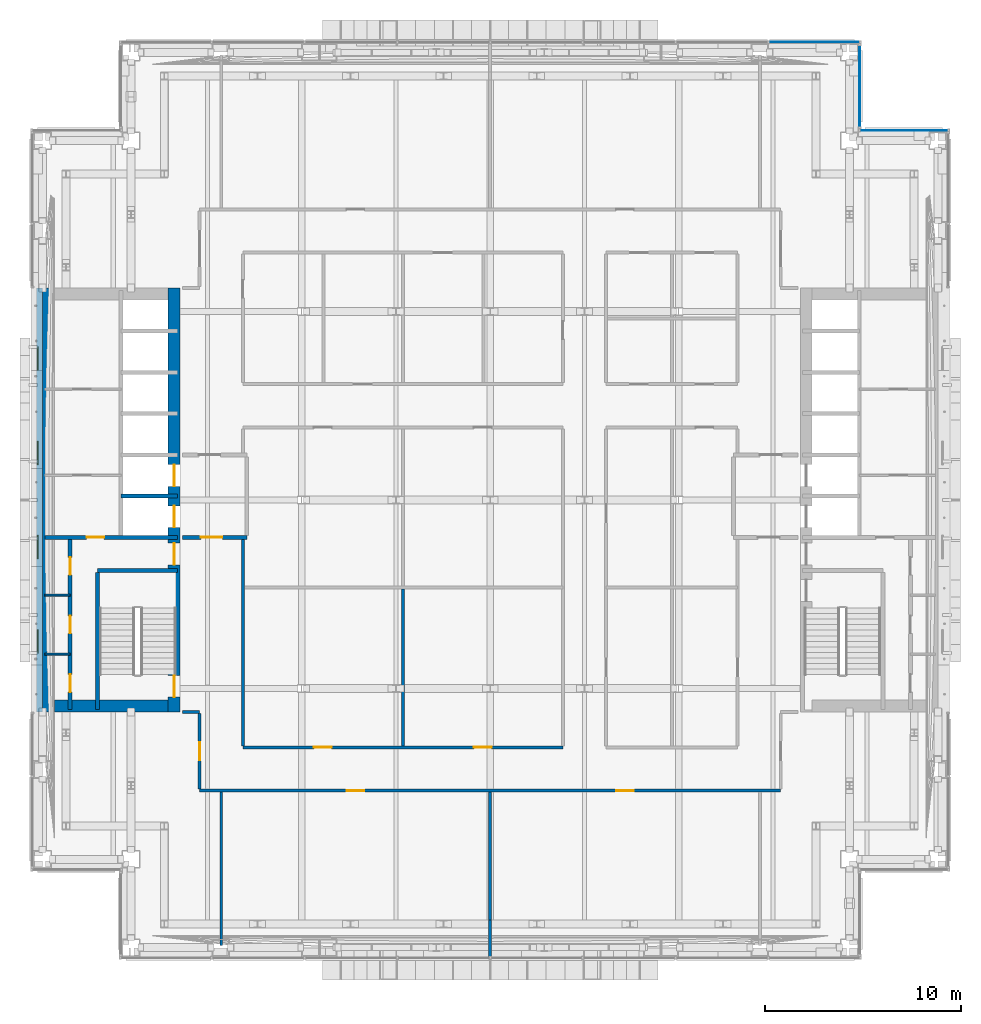
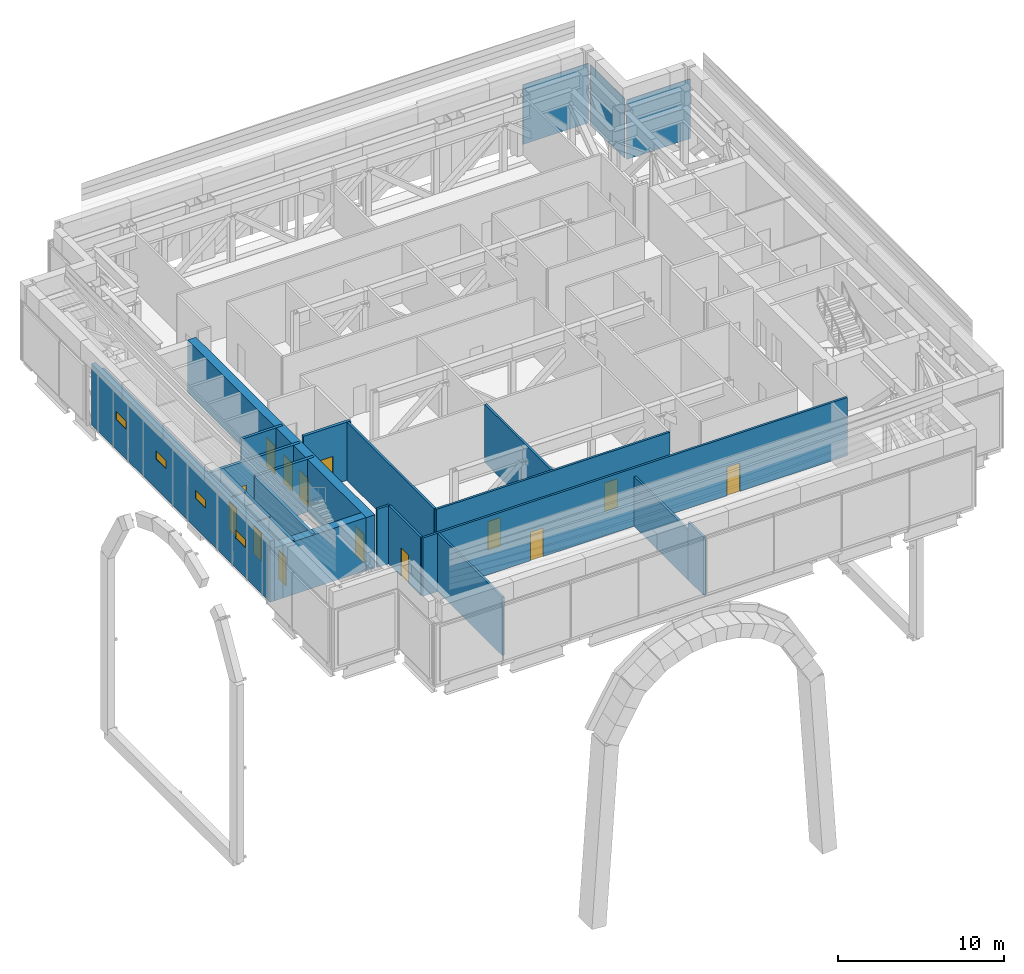
# One storey, part 10 of 38: 21 walls, 14 doors, 4 windows, 3 plates, 18 openings, 3 elements without a shape of their own.
"""IFC4 building model written with IfcOpenShell, lengths in metres."""

from ifc_helpers import new_model, si_unit, direction, frame, frame_2d, origin, origin_2d, place, context, subcontext, project, spatial, rectangle, extrude, material, layer, layer_set, type_object, element, fill, aggregate, save


model = new_model("IFC4")

# Units and contexts
model_context = context("Model", 3, precision=1e-05, world=origin(), true_north=direction((0.0, 1.0)))
body_context = subcontext(model_context, "Body", "Model", "MODEL_VIEW")
ifc_project = project(units=[si_unit("LENGTHUNIT", "METRE"), si_unit("AREAUNIT", "SQUARE_METRE"), si_unit("VOLUMEUNIT", "CUBIC_METRE"), si_unit("PLANEANGLEUNIT", "RADIAN"), si_unit("MASSUNIT", "GRAM", prefix="KILO")], contexts=[model_context])

# Site, building, storey
site_placement = place(None, origin())
site = spatial("IfcSite", under=ifc_project, at=site_placement, CompositionType="ELEMENT")
building_placement = place(site_placement, origin())
building = spatial("IfcBuilding", under=site, at=building_placement, Name="Cobrizo Arcos Hotel Tower", CompositionType="ELEMENT")
storey_placement = place(building_placement, frame((0.0, 0.0, 138.0)))
storey = spatial("IfcBuildingStorey", under=building, at=storey_placement, Name="L35", CompositionType="ELEMENT", Elevation=138.0)

# Curtain wall, plate
ifc_material_1 = material(Name="Aluminium 6063-T6 anodised bronze", Category="aluminium")
curtain_wall_type = type_object("IfcCurtainWallType", Name="CW-D plant louvre wall", PredefinedType="NOTDEFINED", material=ifc_material_1)
curtain_wall_1_placement = place(storey_placement, origin())
curtain_wall_1 = element("IfcCurtainWall", 1, at=curtain_wall_1_placement, inside=storey, type_object=curtain_wall_type, Name="CW-D L35 N face", PredefinedType="NOTDEFINED")
ifc_material_2 = material(Name="Aluminium composite panel pale metal", Category="aluminium")
ifc_layer_1 = layer(ifc_material_2, 0.06005859375)
ifc_layer_set_1 = layer_set([ifc_layer_1], Name="CW-D spandrel panel")
plate_type = type_object("IfcPlateType", Name="CW-D spandrel panel", PredefinedType="CURTAIN_PANEL", material=ifc_layer_set_1)
plate_1_placement = place(storey_placement, frame((21.074951171875, 18.824951171875, 0.0), z_axis=(0.0, 0.0, 1.0), x_axis=(-1.0, 0.0, 0.0)))
plate_1 = element("IfcPlate", 2, at=plate_1_placement, type_object=plate_type, Name="CW-D insulated panel 1289", PredefinedType="CURTAIN_PANEL", context=body_context, shape_type="SweptSolid", body=[
    extrude(rectangle(XDim=4.449951171875, YDim=0.0400390625, at=origin_2d()), origin(), (0.0, 0.0, 1.0), 4.39990234375),
])
aggregate(curtain_wall_1, [plate_1])

curtain_wall_2_placement = place(storey_placement, origin())
curtain_wall_2 = element("IfcCurtainWall", 3, at=curtain_wall_2_placement, inside=storey, type_object=curtain_wall_type, Name="CW-D L35 E face", PredefinedType="NOTDEFINED")
plate_2_placement = place(storey_placement, frame((18.824951171875, 21.074951171875, 0.0), z_axis=(0.0, 0.0, 1.0), x_axis=(0.0, 1.0, 0.0)))
plate_2 = element("IfcPlate", 4, at=plate_2_placement, type_object=plate_type, Name="CW-D insulated panel 1290", PredefinedType="CURTAIN_PANEL", context=body_context, shape_type="SweptSolid", body=[
    extrude(rectangle(XDim=4.14990234375, YDim=0.0400390625, at=origin_2d()), origin(), (0.0, 0.0, 1.0), 4.39990234375),
])
aggregate(curtain_wall_2, [plate_2])

curtain_wall_3_placement = place(storey_placement, origin())
curtain_wall_3 = element("IfcCurtainWall", 5, at=curtain_wall_3_placement, inside=storey, type_object=curtain_wall_type, Name="CW-D L35 N face", PredefinedType="NOTDEFINED")
plate_3_placement = place(storey_placement, frame((16.512451171875, 23.324951171875, 0.0), z_axis=(0.0, 0.0, 1.0), x_axis=(-1.0, 0.0, 0.0)))
plate_3 = element("IfcPlate", 6, at=plate_3_placement, type_object=plate_type, Name="CW-D insulated panel 1291", PredefinedType="CURTAIN_PANEL", context=body_context, shape_type="SweptSolid", body=[
    extrude(rectangle(XDim=4.574951171875, YDim=0.0400390625, at=origin_2d()), origin(), (0.0, 0.0, 1.0), 4.39990234375),
])
aggregate(curtain_wall_3, [plate_3])

# Wall, openings, doors
ifc_material_3 = material(Name="Gypsum board partition")
ifc_layer_2 = layer(ifc_material_3, 0.14990234375)
ifc_layer_set_2 = layer_set([ifc_layer_2], Name="Corridor wall EI 60 150")
wall_type_1 = type_object("IfcWallType", Name="Corridor wall EI 60 150", PredefinedType="PARTITIONING", material=ifc_layer_set_2)
wall_1_placement = place(storey_placement, frame((-14.800048828125, -14.800048828125, 0.0), z_axis=(0.0, 0.0, 1.0), x_axis=(1.0, 0.0, 0.0)))
wall_1 = element("IfcWall", 7, at=wall_1_placement, inside=storey, type_object=wall_type_1, Name="Partition 001", PredefinedType="PARTITIONING", context=body_context, shape_type="SweptSolid", body=[
    extrude(rectangle(XDim=29.60009765625, YDim=0.14990234375, at=frame_2d((14.800048828125, 0.0))), origin(), (0.0, 0.0, 1.0), 4.300048828125),
])
opening_1_placement = place(wall_1_placement, frame((7.488037109375, 0.0, 0.0)))
opening_1 = element("IfcOpeningElement", 8, at=opening_1_placement, cuts=wall_1, Name="Opening RD-13", PredefinedType="OPENING", context=body_context, shape_type="SweptSolid", body=[
    extrude(rectangle(XDim=0.89990234375, YDim=2.10009765625, at=frame_2d((0.449951171875, 1.050048828125))), frame((0.0, 0.0869140625, 0.0), z_axis=(0.0, -1.0, 0.0), x_axis=(1.0, 0.0, 0.0)), (0.0, 0.0, 1.0), 0.173828125),
])
opening_2_placement = place(wall_1_placement, frame((21.212890625, 0.0, 0.0)))
opening_2 = element("IfcOpeningElement", 9, at=opening_2_placement, cuts=wall_1, Name="Opening RD-14", PredefinedType="OPENING", context=body_context, shape_type="SweptSolid", body=[
    extrude(rectangle(XDim=0.89990234375, YDim=2.10009765625, at=frame_2d((0.449951171875, 1.050048828125))), frame((0.0, 0.0869140625, 0.0), z_axis=(0.0, -1.0, 0.0), x_axis=(1.0, 0.0, 0.0)), (0.0, 0.0, 1.0), 0.173828125),
])
ifc_material_4 = material(Name="Timber door leaf", Category="wood")
door_type_1 = type_object("IfcDoorType", Name="Room door FD30 900x2100", OperationType="SINGLE_SWING_LEFT", PredefinedType="DOOR", material=ifc_material_4)
door_1_placement = place(opening_1_placement, origin())
door_1 = element("IfcDoor", 10, at=door_1_placement, inside=storey, type_object=door_type_1, Name="Door RD-13", OperationType="SINGLE_SWING_LEFT", OverallHeight=2.10009765625, OverallWidth=0.89990234375, PredefinedType="DOOR", context=body_context, shape_type="SweptSolid", body=[
    extrude(rectangle(XDim=0.89990234375, YDim=2.10009765625, at=frame_2d((0.449951171875, 1.050048828125))), frame((0.0, 0.02490234375, 0.0), z_axis=(0.0, -1.0, 0.0), x_axis=(1.0, 0.0, 0.0)), (0.0, 0.0, 1.0), 0.050048828125),
])
fill(opening_1, door_1)
door_2_placement = place(opening_2_placement, origin())
door_2 = element("IfcDoor", 11, at=door_2_placement, inside=storey, type_object=door_type_1, Name="Door RD-14", OperationType="SINGLE_SWING_RIGHT", OverallHeight=2.10009765625, OverallWidth=0.89990234375, PredefinedType="DOOR", context=body_context, shape_type="SweptSolid", body=[
    extrude(rectangle(XDim=0.89990234375, YDim=2.10009765625, at=frame_2d((0.449951171875, 1.050048828125))), frame((0.0, 0.02490234375, 0.0), z_axis=(0.0, -1.0, 0.0), x_axis=(1.0, 0.0, 0.0)), (0.0, 0.0, 1.0), 0.050048828125),
])
fill(opening_2, door_2)

wall_2_placement = place(storey_placement, frame((-12.60009765625, -12.60009765625, 0.0), z_axis=(0.0, 0.0, 1.0), x_axis=(1.0, 0.0, 0.0)))
wall_2 = element("IfcWall", 12, at=wall_2_placement, inside=storey, type_object=wall_type_1, Name="Partition 002", PredefinedType="PARTITIONING", context=body_context, shape_type="SweptSolid", body=[
    extrude(rectangle(XDim=16.300048828125, YDim=0.14990234375, at=frame_2d((8.14990234375, 0.0))), origin(), (0.0, 0.0, 1.0), 4.300048828125),
])
opening_3_placement = place(wall_2_placement, frame((3.625, 0.0, 0.0)))
opening_3 = element("IfcOpeningElement", 13, at=opening_3_placement, cuts=wall_2, Name="Opening RD-25", PredefinedType="OPENING", context=body_context, shape_type="SweptSolid", body=[
    extrude(rectangle(XDim=0.89990234375, YDim=2.10009765625, at=frame_2d((0.449951171875, 1.050048828125))), frame((0.0, 0.0869140625, 0.0), z_axis=(0.0, -1.0, 0.0), x_axis=(1.0, 0.0, 0.0)), (0.0, 0.0, 1.0), 0.173828125),
])
opening_4_placement = place(wall_2_placement, frame((11.77490234375, 0.0, 0.0)))
opening_4 = element("IfcOpeningElement", 14, at=opening_4_placement, cuts=wall_2, Name="Opening RD-27", PredefinedType="OPENING", context=body_context, shape_type="SweptSolid", body=[
    extrude(rectangle(XDim=0.89990234375, YDim=2.10009765625, at=frame_2d((0.449951171875, 1.050048828125))), frame((0.0, 0.0869140625, 0.0), z_axis=(0.0, -1.0, 0.0), x_axis=(1.0, 0.0, 0.0)), (0.0, 0.0, 1.0), 0.173828125),
])
door_3_placement = place(opening_3_placement, origin())
door_3 = element("IfcDoor", 15, at=door_3_placement, inside=storey, type_object=door_type_1, Name="Door RD-25", OperationType="SINGLE_SWING_LEFT", OverallHeight=2.10009765625, OverallWidth=0.89990234375, PredefinedType="DOOR", context=body_context, shape_type="SweptSolid", body=[
    extrude(rectangle(XDim=0.89990234375, YDim=2.10009765625, at=frame_2d((0.449951171875, 1.050048828125))), frame((0.0, 0.02490234375, 0.0), z_axis=(0.0, -1.0, 0.0), x_axis=(1.0, 0.0, 0.0)), (0.0, 0.0, 1.0), 0.050048828125),
])
fill(opening_3, door_3)
door_4_placement = place(opening_4_placement, origin())
door_4 = element("IfcDoor", 16, at=door_4_placement, inside=storey, type_object=door_type_1, Name="Door RD-27", OperationType="SINGLE_SWING_LEFT", OverallHeight=2.10009765625, OverallWidth=0.89990234375, PredefinedType="DOOR", context=body_context, shape_type="SweptSolid", body=[
    extrude(rectangle(XDim=0.89990234375, YDim=2.10009765625, at=frame_2d((0.449951171875, 1.050048828125))), frame((0.0, 0.02490234375, 0.0), z_axis=(0.0, -1.0, 0.0), x_axis=(1.0, 0.0, 0.0)), (0.0, 0.0, 1.0), 0.050048828125),
])
fill(opening_4, door_4)

# Wall
wall_3_placement = place(storey_placement, frame((-15.679931640625, -10.800048828125, 0.0), z_axis=(0.0, 0.0, 1.0), x_axis=(1.0, 0.0, 0.0)))
element("IfcWall", 17, at=wall_3_placement, inside=storey, type_object=wall_type_1, Name="Partition 004", PredefinedType="PARTITIONING", context=body_context, shape_type="SweptSolid", body=[
    extrude(rectangle(XDim=0.8798828125, YDim=0.14990234375, at=frame_2d((0.43994140625, 0.0))), origin(), (0.0, 0.0, 1.0), 4.300048828125),
])

# Wall, opening, door
wall_4_placement = place(storey_placement, frame((-14.800048828125, -14.72509765625, 0.0), z_axis=(0.0, 0.0, 1.0), x_axis=(0.0, 1.0, 0.0)))
wall_4 = element("IfcWall", 18, at=wall_4_placement, inside=storey, type_object=wall_type_1, Name="Partition 047", PredefinedType="PARTITIONING", context=body_context, shape_type="SweptSolid", body=[
    extrude(rectangle(XDim=3.85009765625, YDim=0.14990234375, at=frame_2d((1.925048828125, 0.0))), origin(), (0.0, 0.0, 1.0), 4.300048828125),
])
opening_5_placement = place(wall_4_placement, frame((1.47509765625, 0.0, 0.0)))
opening_5 = element("IfcOpeningElement", 19, at=opening_5_placement, cuts=wall_4, Name="Opening RD-15", PredefinedType="OPENING", context=body_context, shape_type="SweptSolid", body=[
    extrude(rectangle(XDim=0.89990234375, YDim=2.10009765625, at=frame_2d((0.449951171875, 1.050048828125))), frame((0.0, 0.0869140625, 0.0), z_axis=(0.0, -1.0, 0.0), x_axis=(1.0, 0.0, 0.0)), (0.0, 0.0, 1.0), 0.173828125),
])
door_5_placement = place(opening_5_placement, origin())
door_5 = element("IfcDoor", 20, at=door_5_placement, inside=storey, type_object=door_type_1, Name="Door RD-15", OperationType="SINGLE_SWING_RIGHT", OverallHeight=2.10009765625, OverallWidth=0.89990234375, PredefinedType="DOOR", context=body_context, shape_type="SweptSolid", body=[
    extrude(rectangle(XDim=0.89990234375, YDim=2.10009765625, at=frame_2d((0.449951171875, 1.050048828125))), frame((0.0, 0.02490234375, 0.0), z_axis=(0.0, -1.0, 0.0), x_axis=(1.0, 0.0, 0.0)), (0.0, 0.0, 1.0), 0.050048828125),
])
fill(opening_5, door_5)

# Walls
wall_5_placement = place(storey_placement, frame((-13.699951171875, -22.679931640625, 0.0), z_axis=(0.0, 0.0, 1.0), x_axis=(0.0, 1.0, 0.0)))
element("IfcWall", 21, at=wall_5_placement, inside=storey, type_object=wall_type_1, Name="Partition 049", PredefinedType="PARTITIONING", context=body_context, shape_type="SweptSolid", body=[
    extrude(rectangle(XDim=7.804931640625, YDim=0.14990234375, at=frame_2d((3.90234375, 0.0))), origin(), (0.0, 0.0, 1.0), 4.300048828125),
])
wall_6_placement = place(storey_placement, frame((-12.60009765625, -12.52490234375, 0.0), z_axis=(0.0, 0.0, 1.0), x_axis=(0.0, 1.0, 0.0)))
element("IfcWall", 22, at=wall_6_placement, inside=storey, type_object=wall_type_1, Name="Partition 051", PredefinedType="PARTITIONING", context=body_context, shape_type="SweptSolid", body=[
    extrude(rectangle(XDim=10.52490234375, YDim=0.14990234375, at=frame_2d((5.262451171875, 0.0))), origin(), (0.0, 0.0, 1.0), 4.300048828125),
])
wall_7_placement = place(storey_placement, frame((-4.449951171875, -12.52490234375, 0.0), z_axis=(0.0, 0.0, 1.0), x_axis=(0.0, 1.0, 0.0)))
element("IfcWall", 23, at=wall_7_placement, inside=storey, type_object=wall_type_1, Name="Partition 056", PredefinedType="PARTITIONING", context=body_context, shape_type="SweptSolid", body=[
    extrude(rectangle(XDim=8.0, YDim=0.14990234375, at=frame_2d((4.0, 0.0))), origin(), (0.0, 0.0, 1.0), 4.300048828125),
])
wall_8_placement = place(storey_placement, frame((0.0, -23.280029296875, 0.0), z_axis=(0.0, 0.0, 1.0), x_axis=(0.0, 1.0, 0.0)))
element("IfcWall", 24, at=wall_8_placement, inside=storey, type_object=wall_type_1, Name="Partition 061", PredefinedType="PARTITIONING", context=body_context, shape_type="SweptSolid", body=[
    extrude(rectangle(XDim=1.880615234375, YDim=0.14990234375, at=frame_2d((0.9404296875, 0.0))), origin(), (0.0, 0.0, 1.0), 4.300048828125),
])
wall_9_placement = place(storey_placement, frame((0.0, -21.39892578125, 0.0), z_axis=(0.0, 0.0, 1.0), x_axis=(0.0, 1.0, 0.0)))
element("IfcWall", 25, at=wall_9_placement, inside=storey, type_object=wall_type_1, Name="Partition 062", PredefinedType="PARTITIONING", context=body_context, shape_type="SweptSolid", body=[
    extrude(rectangle(XDim=6.52392578125, YDim=0.14990234375, at=frame_2d((3.261962890625, 0.0))), origin(), (0.0, 0.0, 1.0), 3.677978515625),
])

# Wall, openings, windows
ifc_layer_3 = layer(ifc_material_2, 0.300048828125)
ifc_layer_set_3 = layer_set([ifc_layer_3], Name="EW-1 insulated panel wall 300")
wall_type_2 = type_object("IfcWallType", Name="EW-1 insulated panel wall 300", PredefinedType="SOLIDWALL", material=ifc_layer_set_3)
wall_10_placement = place(storey_placement, frame((-22.949951171875, 10.800048828125, 0.0), z_axis=(0.0, 0.0, 1.0), x_axis=(0.0, -1.0, 0.0)))
wall_10 = element("IfcWall", 26, at=wall_10_placement, inside=storey, type_object=wall_type_2, Name="Core face wall L35 W", PredefinedType="SOLIDWALL", context=body_context, shape_type="SweptSolid", body=[
    extrude(rectangle(XDim=21.60009765625, YDim=0.300048828125, at=frame_2d((10.800048828125, 0.0))), origin(), (0.0, 0.0, 1.0), 4.5),
])
opening_6_placement = place(wall_10_placement, frame((3.0, 0.0, 2.199951171875)))
opening_6 = element("IfcOpeningElement", 27, at=opening_6_placement, cuts=wall_10, Name="Opening W-75", PredefinedType="OPENING", context=body_context, shape_type="SweptSolid", body=[
    extrude(rectangle(XDim=1.199951171875, YDim=0.60009765625, at=frame_2d((0.60009765625, 0.300048828125))), frame((0.0, 0.162109375, 0.0), z_axis=(0.0, -1.0, 0.0), x_axis=(1.0, 0.0, 0.0)), (0.0, 0.0, 1.0), 0.323974609375),
])
opening_7_placement = place(wall_10_placement, frame((7.800048828125, 0.0, 2.199951171875)))
opening_7 = element("IfcOpeningElement", 28, at=opening_7_placement, cuts=wall_10, Name="Opening W-76", PredefinedType="OPENING", context=body_context, shape_type="SweptSolid", body=[
    extrude(rectangle(XDim=1.199951171875, YDim=0.60009765625, at=frame_2d((0.60009765625, 0.300048828125))), frame((0.0, 0.162109375, 0.0), z_axis=(0.0, -1.0, 0.0), x_axis=(1.0, 0.0, 0.0)), (0.0, 0.0, 1.0), 0.323974609375),
])
opening_8_placement = place(wall_10_placement, frame((12.60009765625, 0.0, 2.199951171875)))
opening_8 = element("IfcOpeningElement", 29, at=opening_8_placement, cuts=wall_10, Name="Opening W-77", PredefinedType="OPENING", context=body_context, shape_type="SweptSolid", body=[
    extrude(rectangle(XDim=1.199951171875, YDim=0.60009765625, at=frame_2d((0.60009765625, 0.300048828125))), frame((0.0, 0.162109375, 0.0), z_axis=(0.0, -1.0, 0.0), x_axis=(1.0, 0.0, 0.0)), (0.0, 0.0, 1.0), 0.323974609375),
])
opening_9_placement = place(wall_10_placement, frame((17.39990234375, 0.0, 2.199951171875)))
opening_9 = element("IfcOpeningElement", 30, at=opening_9_placement, cuts=wall_10, Name="Opening W-78", PredefinedType="OPENING", context=body_context, shape_type="SweptSolid", body=[
    extrude(rectangle(XDim=1.199951171875, YDim=0.60009765625, at=frame_2d((0.60009765625, 0.300048828125))), frame((0.0, 0.162109375, 0.0), z_axis=(0.0, -1.0, 0.0), x_axis=(1.0, 0.0, 0.0)), (0.0, 0.0, 1.0), 0.323974609375),
])
ifc_material_5 = material(Name="Aluminium 6063-T6 and clear laminated glass", Category="aluminium")
window_type = type_object("IfcWindowType", Name="W-S1 plant smoke-vent window 1200x600", PartitioningType="SINGLE_PANEL", PredefinedType="WINDOW", material=ifc_material_5)
window_1_placement = place(opening_6_placement, origin())
window_1 = element("IfcWindow", 31, at=window_1_placement, inside=storey, type_object=window_type, Name="Core face wall L35 W window W-75", OverallHeight=0.60009765625, OverallWidth=1.199951171875, PartitioningType="SINGLE_PANEL", PredefinedType="WINDOW", context=body_context, shape_type="SweptSolid", body=[
    extrude(rectangle(XDim=1.199951171875, YDim=0.60009765625, at=frame_2d((0.60009765625, 0.300048828125))), frame((0.0, -0.06005859375, 0.0), z_axis=(0.0, -1.0, 0.0), x_axis=(1.0, 0.0, 0.0)), (0.0, 0.0, 1.0), 0.06005859375),
])
fill(opening_6, window_1)
window_2_placement = place(opening_7_placement, origin())
window_2 = element("IfcWindow", 32, at=window_2_placement, inside=storey, type_object=window_type, Name="Core face wall L35 W window W-76", OverallHeight=0.60009765625, OverallWidth=1.199951171875, PartitioningType="SINGLE_PANEL", PredefinedType="WINDOW", context=body_context, shape_type="SweptSolid", body=[
    extrude(rectangle(XDim=1.199951171875, YDim=0.60009765625, at=frame_2d((0.60009765625, 0.300048828125))), frame((0.0, -0.06005859375, 0.0), z_axis=(0.0, -1.0, 0.0), x_axis=(1.0, 0.0, 0.0)), (0.0, 0.0, 1.0), 0.06005859375),
])
fill(opening_7, window_2)
window_3_placement = place(opening_8_placement, origin())
window_3 = element("IfcWindow", 33, at=window_3_placement, inside=storey, type_object=window_type, Name="Core face wall L35 W window W-77", OverallHeight=0.60009765625, OverallWidth=1.199951171875, PartitioningType="SINGLE_PANEL", PredefinedType="WINDOW", context=body_context, shape_type="SweptSolid", body=[
    extrude(rectangle(XDim=1.199951171875, YDim=0.60009765625, at=frame_2d((0.60009765625, 0.300048828125))), frame((0.0, -0.06005859375, 0.0), z_axis=(0.0, -1.0, 0.0), x_axis=(1.0, 0.0, 0.0)), (0.0, 0.0, 1.0), 0.06005859375),
])
fill(opening_8, window_3)
window_4_placement = place(opening_9_placement, origin())
window_4 = element("IfcWindow", 34, at=window_4_placement, inside=storey, type_object=window_type, Name="Core face wall L35 W window W-78", OverallHeight=0.60009765625, OverallWidth=1.199951171875, PartitioningType="SINGLE_PANEL", PredefinedType="WINDOW", context=body_context, shape_type="SweptSolid", body=[
    extrude(rectangle(XDim=1.199951171875, YDim=0.60009765625, at=frame_2d((0.60009765625, 0.300048828125))), frame((0.0, -0.06005859375, 0.0), z_axis=(0.0, -1.0, 0.0), x_axis=(1.0, 0.0, 0.0)), (0.0, 0.0, 1.0), 0.06005859375),
])
fill(opening_9, window_4)

# Walls
ifc_layer_4 = layer(ifc_material_3, 0.10009765625)
ifc_layer_set_4 = layer_set([ifc_layer_4], Name="Partition EI 30 100")
wall_type_3 = type_object("IfcWallType", Name="Partition EI 30 100", PredefinedType="PARTITIONING", material=ifc_layer_set_4)
for number, where, z_axis, x_axis, name in (
    (35, (-22.679931640625, -7.85009765625, 0.0), (0.0, 0.0, 1.0), (1.0, 0.0, 0.0), "Partition 006"),
    (36, (-22.679931640625, -4.85009765625, 0.0), (0.0, 0.0, 1.0), (1.0, 0.0, 0.0), "Partition 008"),
):
    element("IfcWall", number, at=place(storey_placement, frame(where, z_axis=z_axis, x_axis=x_axis)), inside=storey, type_object=wall_type_3, Name=name, PredefinedType="PARTITIONING", context=body_context, shape_type="SweptSolid", body=[
        extrude(rectangle(XDim=1.280029296875, YDim=0.10009765625, at=frame_2d((0.64013671875, 0.0))), origin(), (0.0, 0.0, 1.0), 3.89990234375),
    ])

# Wall, openings, doors
ifc_material_6 = material(Name="Concrete f'c 50 MPa", Category="concrete")
ifc_layer_5 = layer(ifc_material_6, 0.60009765625)
ifc_layer_set_5 = layer_set([ifc_layer_5], Name="RC core wall 600 f'c 50")
wall_type_4 = type_object("IfcWallType", Name="RC core wall 600 f'c 50", PredefinedType="SHEAR", material=ifc_layer_set_5)
wall_11_placement = place(storey_placement, frame((-16.10009765625, -10.800048828125, 0.0), z_axis=(0.0, 0.0, 1.0), x_axis=(0.0, 1.0, 0.0)))
wall_11 = element("IfcWall", 37, at=wall_11_placement, inside=storey, type_object=wall_type_4, Name="Core wall CW2, west core, inner face, L35", PredefinedType="SHEAR", context=body_context, shape_type="SweptSolid", body=[
    extrude(rectangle(XDim=21.60009765625, YDim=0.60009765625, at=frame_2d((10.800048828125, 0.0))), origin(), (0.0, 0.0, 1.0), 3.89990234375),
])
opening_10_placement = place(wall_11_placement, frame((9.39990234375, 0.0, 0.0)))
opening_10 = element("IfcOpeningElement", 38, at=opening_10_placement, cuts=wall_11, Name="Opening LD-01", PredefinedType="OPENING", context=body_context, shape_type="SweptSolid", body=[
    extrude(rectangle(XDim=1.10009765625, YDim=2.10009765625, at=frame_2d((0.550048828125, 1.050048828125))), frame((0.0, 0.31201171875, 0.0), z_axis=(0.0, -1.0, 0.0), x_axis=(1.0, 0.0, 0.0)), (0.0, 0.0, 1.0), 0.6240234375),
])
opening_11_placement = place(wall_11_placement, frame((11.5, 0.0, 0.0)))
opening_11 = element("IfcOpeningElement", 39, at=opening_11_placement, cuts=wall_11, Name="Opening LD-02", PredefinedType="OPENING", context=body_context, shape_type="SweptSolid", body=[
    extrude(rectangle(XDim=1.10009765625, YDim=2.10009765625, at=frame_2d((0.550048828125, 1.050048828125))), frame((0.0, 0.31201171875, 0.0), z_axis=(0.0, -1.0, 0.0), x_axis=(1.0, 0.0, 0.0)), (0.0, 0.0, 1.0), 0.6240234375),
])
opening_12_placement = place(wall_11_placement, frame((0.758056640625, 0.0, 0.0)))
opening_12 = element("IfcOpeningElement", 40, at=opening_12_placement, cuts=wall_11, Name="Opening SD-01", PredefinedType="OPENING", context=body_context, shape_type="SweptSolid", body=[
    extrude(rectangle(XDim=1.10009765625, YDim=2.10009765625, at=frame_2d((0.550048828125, 1.050048828125))), frame((0.0, 0.31201171875, 0.0), z_axis=(0.0, -1.0, 0.0), x_axis=(1.0, 0.0, 0.0)), (0.0, 0.0, 1.0), 0.6240234375),
])
opening_13_placement = place(wall_11_placement, frame((7.5, 0.0, 0.0)))
opening_13 = element("IfcOpeningElement", 41, at=opening_13_placement, cuts=wall_11, Name="Opening FD-01", PredefinedType="OPENING", context=body_context, shape_type="SweptSolid", body=[
    extrude(rectangle(XDim=1.10009765625, YDim=2.10009765625, at=frame_2d((0.550048828125, 1.050048828125))), frame((0.0, 0.31201171875, 0.0), z_axis=(0.0, -1.0, 0.0), x_axis=(1.0, 0.0, 0.0)), (0.0, 0.0, 1.0), 0.6240234375),
])
ifc_material_7 = material(Name="Steel door leaf", Category="steel")
door_type_2 = type_object("IfcDoorType", Name="Fire door FD60 1100x2100", OperationType="SINGLE_SWING_LEFT", PredefinedType="DOOR", material=ifc_material_7)
door_6_placement = place(opening_13_placement, origin())
door_6 = element("IfcDoor", 42, at=door_6_placement, inside=storey, type_object=door_type_2, Name="Door FD-01", OperationType="SINGLE_SWING_RIGHT", OverallHeight=2.10009765625, OverallWidth=1.10009765625, PredefinedType="DOOR", context=body_context, shape_type="SweptSolid", body=[
    extrude(rectangle(XDim=1.10009765625, YDim=2.10009765625, at=frame_2d((0.550048828125, 1.050048828125))), frame((0.0, 0.02490234375, 0.0), z_axis=(0.0, -1.0, 0.0), x_axis=(1.0, 0.0, 0.0)), (0.0, 0.0, 1.0), 0.050048828125),
])
fill(opening_13, door_6)
door_type_3 = type_object("IfcDoorType", Name="Lift landing door 1100x2100", OperationType="SLIDING_TO_LEFT", PredefinedType="DOOR", material=ifc_material_7)
door_7_placement = place(opening_10_placement, origin())
door_7 = element("IfcDoor", 43, at=door_7_placement, inside=storey, type_object=door_type_3, Name="Lift landing door LD-01", OperationType="SLIDING_TO_LEFT", OverallHeight=2.10009765625, OverallWidth=1.10009765625, PredefinedType="DOOR", context=body_context, shape_type="SweptSolid", body=[
    extrude(rectangle(XDim=1.10009765625, YDim=2.10009765625, at=frame_2d((0.550048828125, 1.050048828125))), frame((0.0, 0.02490234375, 0.0), z_axis=(0.0, -1.0, 0.0), x_axis=(1.0, 0.0, 0.0)), (0.0, 0.0, 1.0), 0.050048828125),
])
fill(opening_10, door_7)
door_8_placement = place(opening_11_placement, origin())
door_8 = element("IfcDoor", 44, at=door_8_placement, inside=storey, type_object=door_type_3, Name="Lift landing door LD-02", OperationType="SLIDING_TO_LEFT", OverallHeight=2.10009765625, OverallWidth=1.10009765625, PredefinedType="DOOR", context=body_context, shape_type="SweptSolid", body=[
    extrude(rectangle(XDim=1.10009765625, YDim=2.10009765625, at=frame_2d((0.550048828125, 1.050048828125))), frame((0.0, 0.02490234375, 0.0), z_axis=(0.0, -1.0, 0.0), x_axis=(1.0, 0.0, 0.0)), (0.0, 0.0, 1.0), 0.050048828125),
])
fill(opening_11, door_8)
door_type_4 = type_object("IfcDoorType", Name="Stair door FD60S 1100x2100", OperationType="SINGLE_SWING_LEFT", PredefinedType="DOOR", material=ifc_material_7)
door_9_placement = place(opening_12_placement, origin())
door_9 = element("IfcDoor", 45, at=door_9_placement, inside=storey, type_object=door_type_4, Name="Door SD-01", OperationType="SINGLE_SWING_RIGHT", OverallHeight=2.10009765625, OverallWidth=1.10009765625, PredefinedType="DOOR", context=body_context, shape_type="SweptSolid", body=[
    extrude(rectangle(XDim=1.10009765625, YDim=2.10009765625, at=frame_2d((0.550048828125, 1.050048828125))), frame((0.0, 0.02490234375, 0.0), z_axis=(0.0, -1.0, 0.0), x_axis=(1.0, 0.0, 0.0)), (0.0, 0.0, 1.0), 0.050048828125),
])
fill(opening_12, door_9)

# Walls
wall_12_placement = place(storey_placement, frame((-22.5, -10.800048828125, 0.0), z_axis=(0.0, 0.0, 1.0), x_axis=(0.0, 1.0, 0.0)))
element("IfcWall", 46, at=wall_12_placement, inside=storey, type_object=wall_type_4, Name="Core wall CW2, west core, outer face, L35", PredefinedType="SHEAR", context=body_context, shape_type="SweptSolid", body=[
    extrude(rectangle(XDim=21.60009765625, YDim=0.60009765625, at=frame_2d((10.800048828125, 0.0))), origin(), (0.0, 0.0, 1.0), 3.89990234375),
])
wall_13_placement = place(storey_placement, frame((-22.199951171875, -10.5, 0.0), z_axis=(0.0, 0.0, 1.0), x_axis=(1.0, 0.0, 0.0)))
element("IfcWall", 47, at=wall_13_placement, inside=storey, type_object=wall_type_4, Name="Core wall CW2, west core, south end, L35", PredefinedType="SHEAR", context=body_context, shape_type="SweptSolid", body=[
    extrude(rectangle(XDim=5.800048828125, YDim=0.60009765625, at=frame_2d((2.89990234375, 0.0))), origin(), (0.0, 0.0, 1.0), 3.89990234375),
])

# Wall, opening, door
ifc_layer_6 = layer(ifc_material_3, 0.199951171875)
ifc_layer_set_6 = layer_set([ifc_layer_6], Name="Shaft wall EI 120 200")
wall_type_5 = type_object("IfcWallType", Name="Shaft wall EI 120 200", PredefinedType="PARTITIONING", material=ifc_layer_set_6)
wall_14_placement = place(storey_placement, frame((-22.679931640625, -1.89990234375, 0.0), z_axis=(0.0, 0.0, 1.0), x_axis=(1.0, 0.0, 0.0)))
wall_14 = element("IfcWall", 48, at=wall_14_placement, inside=storey, type_object=wall_type_5, Name="Partition 014", PredefinedType="PARTITIONING", context=body_context, shape_type="SweptSolid", body=[
    extrude(rectangle(XDim=6.760009765625, YDim=0.199951171875, at=frame_2d((3.3798828125, 0.0))), origin(), (0.0, 0.0, 1.0), 3.89990234375),
])
opening_14_placement = place(wall_14_placement, frame((2.1201171875, 0.0, 0.0)))
opening_14 = element("IfcOpeningElement", 49, at=opening_14_placement, cuts=wall_14, Name="Opening RD-03", PredefinedType="OPENING", context=body_context, shape_type="SweptSolid", body=[
    extrude(rectangle(XDim=0.89990234375, YDim=2.10009765625, at=frame_2d((0.449951171875, 1.050048828125))), frame((0.0, 0.112060546875, 0.0), z_axis=(0.0, -1.0, 0.0), x_axis=(1.0, 0.0, 0.0)), (0.0, 0.0, 1.0), 0.223876953125),
])
door_10_placement = place(opening_14_placement, origin())
door_10 = element("IfcDoor", 50, at=door_10_placement, inside=storey, type_object=door_type_1, Name="Door RD-03", OperationType="SINGLE_SWING_RIGHT", OverallHeight=2.10009765625, OverallWidth=0.89990234375, PredefinedType="DOOR", context=body_context, shape_type="SweptSolid", body=[
    extrude(rectangle(XDim=0.89990234375, YDim=2.10009765625, at=frame_2d((0.449951171875, 1.050048828125))), frame((0.0, 0.02490234375, 0.0), z_axis=(0.0, -1.0, 0.0), x_axis=(1.0, 0.0, 0.0)), (0.0, 0.0, 1.0), 0.050048828125),
])
fill(opening_14, door_10)

wall_15_placement = place(storey_placement, frame((-15.679931640625, -1.89990234375, 0.0), z_axis=(0.0, 0.0, 1.0), x_axis=(1.0, 0.0, 0.0)))
wall_15 = element("IfcWall", 51, at=wall_15_placement, inside=storey, type_object=wall_type_5, Name="Partition 015", PredefinedType="PARTITIONING", context=body_context, shape_type="SweptSolid", body=[
    extrude(rectangle(XDim=3.280029296875, YDim=0.199951171875, at=frame_2d((1.64013671875, 0.0))), origin(), (0.0, 0.0, 1.0), 4.300048828125),
])
opening_15_placement = place(wall_15_placement, frame((0.93994140625, 0.0, 0.0)))
opening_15 = element("IfcOpeningElement", 52, at=opening_15_placement, cuts=wall_15, Name="Opening FD-02", PredefinedType="OPENING", context=body_context, shape_type="SweptSolid", body=[
    extrude(rectangle(XDim=1.10009765625, YDim=2.10009765625, at=frame_2d((0.550048828125, 1.050048828125))), frame((0.0, 0.112060546875, 0.0), z_axis=(0.0, -1.0, 0.0), x_axis=(1.0, 0.0, 0.0)), (0.0, 0.0, 1.0), 0.223876953125),
])
door_11_placement = place(opening_15_placement, origin())
door_11 = element("IfcDoor", 53, at=door_11_placement, inside=storey, type_object=door_type_2, Name="Door FD-02", OperationType="SINGLE_SWING_LEFT", OverallHeight=2.10009765625, OverallWidth=1.10009765625, PredefinedType="DOOR", context=body_context, shape_type="SweptSolid", body=[
    extrude(rectangle(XDim=1.10009765625, YDim=2.10009765625, at=frame_2d((0.550048828125, 1.050048828125))), frame((0.0, 0.02490234375, 0.0), z_axis=(0.0, -1.0, 0.0), x_axis=(1.0, 0.0, 0.0)), (0.0, 0.0, 1.0), 0.050048828125),
])
fill(opening_15, door_11)

# Wall
wall_16_placement = place(storey_placement, frame((-18.800048828125, 0.199951171875, 0.0), z_axis=(0.0, 0.0, 1.0), x_axis=(1.0, 0.0, 0.0)))
element("IfcWall", 54, at=wall_16_placement, inside=storey, type_object=wall_type_5, Name="Partition 018", PredefinedType="PARTITIONING", context=body_context, shape_type="SweptSolid", body=[
    extrude(rectangle(XDim=2.880126953125, YDim=0.199951171875, at=frame_2d((1.43994140625, 0.0))), origin(), (0.0, 0.0, 1.0), 3.89990234375),
])

# Wall, openings, doors
wall_17_placement = place(storey_placement, frame((-21.39990234375, -10.679931640625, 0.0), z_axis=(0.0, 0.0, 1.0), x_axis=(0.0, 1.0, 0.0)))
wall_17 = element("IfcWall", 55, at=wall_17_placement, inside=storey, type_object=wall_type_5, Name="Partition 044", PredefinedType="PARTITIONING", context=body_context, shape_type="SweptSolid", body=[
    extrude(rectangle(XDim=8.679931640625, YDim=0.199951171875, at=frame_2d((4.33984375, 0.0))), origin(), (0.0, 0.0, 1.0), 3.89990234375),
])
opening_16_placement = place(wall_17_placement, frame((0.89892578125, 0.0, 0.0)))
opening_16 = element("IfcOpeningElement", 56, at=opening_16_placement, cuts=wall_17, Name="Opening RD-01", PredefinedType="OPENING", context=body_context, shape_type="SweptSolid", body=[
    extrude(rectangle(XDim=0.89990234375, YDim=2.10009765625, at=frame_2d((0.449951171875, 1.050048828125))), frame((0.0, 0.112060546875, 0.0), z_axis=(0.0, -1.0, 0.0), x_axis=(1.0, 0.0, 0.0)), (0.0, 0.0, 1.0), 0.223876953125),
])
opening_17_placement = place(wall_17_placement, frame((3.8798828125, 0.0, 0.0)))
opening_17 = element("IfcOpeningElement", 57, at=opening_17_placement, cuts=wall_17, Name="Opening RD-02", PredefinedType="OPENING", context=body_context, shape_type="SweptSolid", body=[
    extrude(rectangle(XDim=0.89990234375, YDim=2.10009765625, at=frame_2d((0.449951171875, 1.050048828125))), frame((0.0, 0.112060546875, 0.0), z_axis=(0.0, -1.0, 0.0), x_axis=(1.0, 0.0, 0.0)), (0.0, 0.0, 1.0), 0.223876953125),
])
opening_18_placement = place(wall_17_placement, frame((6.862060546875, 0.0, 0.0)))
opening_18 = element("IfcOpeningElement", 58, at=opening_18_placement, cuts=wall_17, Name="Opening ED-01", PredefinedType="OPENING", context=body_context, shape_type="SweptSolid", body=[
    extrude(rectangle(XDim=0.89990234375, YDim=2.10009765625, at=frame_2d((0.449951171875, 1.050048828125))), frame((0.0, 0.112060546875, 0.0), z_axis=(0.0, -1.0, 0.0), x_axis=(1.0, 0.0, 0.0)), (0.0, 0.0, 1.0), 0.223876953125),
])
door_type_5 = type_object("IfcDoorType", Name="En-suite door 900x2100", OperationType="SINGLE_SWING_LEFT", PredefinedType="DOOR", material=ifc_material_4)
door_12_placement = place(opening_18_placement, origin())
door_12 = element("IfcDoor", 59, at=door_12_placement, inside=storey, type_object=door_type_5, Name="Door ED-01", OperationType="SINGLE_SWING_RIGHT", OverallHeight=2.10009765625, OverallWidth=0.89990234375, PredefinedType="DOOR", context=body_context, shape_type="SweptSolid", body=[
    extrude(rectangle(XDim=0.89990234375, YDim=2.10009765625, at=frame_2d((0.449951171875, 1.050048828125))), frame((0.0, 0.02490234375, 0.0), z_axis=(0.0, -1.0, 0.0), x_axis=(1.0, 0.0, 0.0)), (0.0, 0.0, 1.0), 0.050048828125),
])
fill(opening_18, door_12)
door_13_placement = place(opening_16_placement, origin())
door_13 = element("IfcDoor", 60, at=door_13_placement, inside=storey, type_object=door_type_1, Name="Door RD-01", OperationType="SINGLE_SWING_LEFT", OverallHeight=2.10009765625, OverallWidth=0.89990234375, PredefinedType="DOOR", context=body_context, shape_type="SweptSolid", body=[
    extrude(rectangle(XDim=0.89990234375, YDim=2.10009765625, at=frame_2d((0.449951171875, 1.050048828125))), frame((0.0, 0.02490234375, 0.0), z_axis=(0.0, -1.0, 0.0), x_axis=(1.0, 0.0, 0.0)), (0.0, 0.0, 1.0), 0.050048828125),
])
fill(opening_16, door_13)
door_14_placement = place(opening_17_placement, origin())
door_14 = element("IfcDoor", 61, at=door_14_placement, inside=storey, type_object=door_type_1, Name="Door RD-02", OperationType="SINGLE_SWING_LEFT", OverallHeight=2.10009765625, OverallWidth=0.89990234375, PredefinedType="DOOR", context=body_context, shape_type="SweptSolid", body=[
    extrude(rectangle(XDim=0.89990234375, YDim=2.10009765625, at=frame_2d((0.449951171875, 1.050048828125))), frame((0.0, 0.02490234375, 0.0), z_axis=(0.0, -1.0, 0.0), x_axis=(1.0, 0.0, 0.0)), (0.0, 0.0, 1.0), 0.050048828125),
])
fill(opening_17, door_14)

# Walls
ifc_material_8 = material(Name="Concrete f'c 40 MPa", Category="concrete")
ifc_layer_7 = layer(ifc_material_8, 0.199951171875)
ifc_layer_set_7 = layer_set([ifc_layer_7], Name="Stair shaft wall 200")
wall_type_6 = type_object("IfcWallType", Name="Stair shaft wall 200", PredefinedType="SHEAR", material=ifc_layer_set_7)
wall_18_placement = place(storey_placement, frame((-20.0, -3.60009765625, 0.0), z_axis=(0.0, 0.0, 1.0), x_axis=(1.0, 0.0, 0.0)))
element("IfcWall", 62, at=wall_18_placement, inside=storey, type_object=wall_type_6, Name="Stair shaft wall W", PredefinedType="SHEAR", context=body_context, shape_type="SweptSolid", body=[
    extrude(rectangle(XDim=4.080078125, YDim=0.199951171875, at=frame_2d((2.0400390625, 0.0))), origin(), (0.0, 0.0, 1.0), 3.89990234375),
])
wall_19_placement = place(storey_placement, frame((-20.0, -10.679931640625, 0.0), z_axis=(0.0, 0.0, 1.0), x_axis=(0.0, 1.0, 0.0)))
element("IfcWall", 63, at=wall_19_placement, inside=storey, type_object=wall_type_6, Name="Stair shaft wall W", PredefinedType="SHEAR", context=body_context, shape_type="SweptSolid", body=[
    extrude(rectangle(XDim=6.97998046875, YDim=0.199951171875, at=frame_2d((3.489990234375, 0.0))), origin(), (0.0, 0.0, 1.0), 3.89990234375),
])

save(model, "model.ifc")
